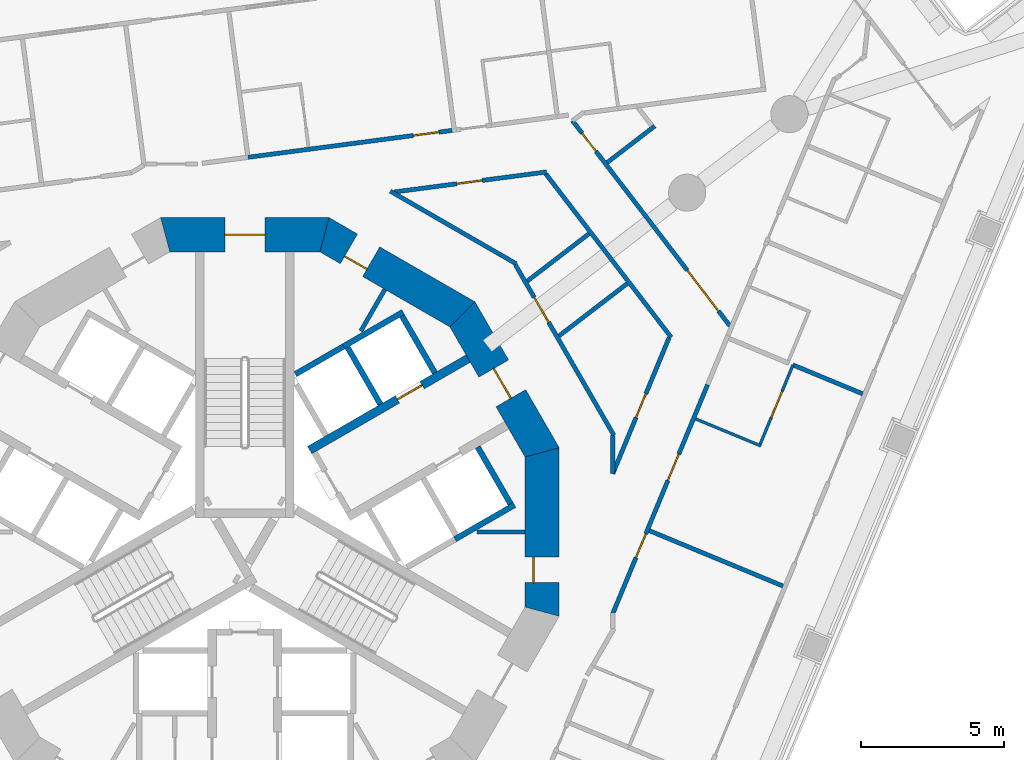
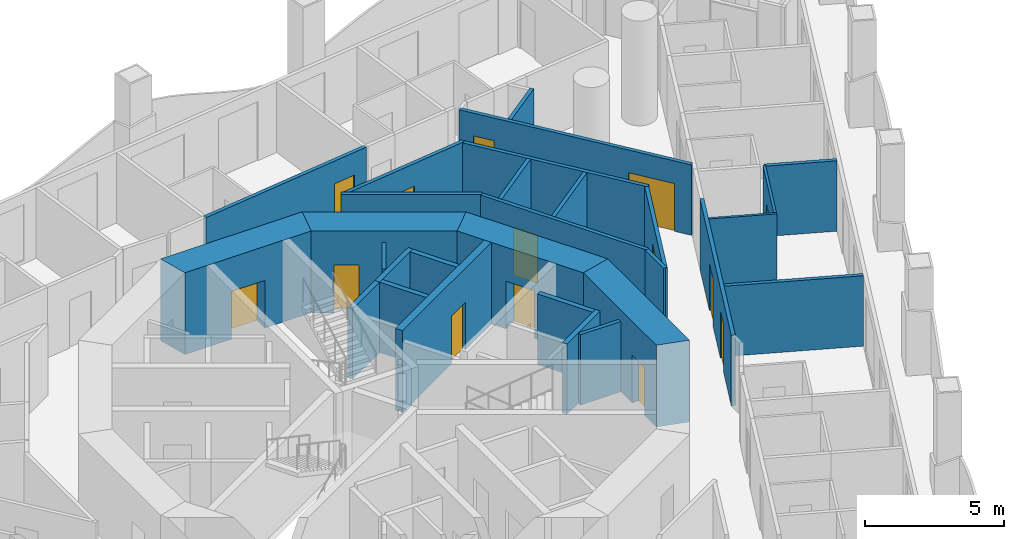
# One storey, part 9 of 19: 29 walls, 14 doors, 14 openings.
"""IFC4 building model written with IfcOpenShell, lengths in metres."""

from ifc_helpers import new_model, si_unit, direction, frame, frame_2d, origin, place, context, subcontext, project, spatial, polyline, rectangle, outline, extrude, material, layer, layer_set, type_object, element, fill, save


model = new_model("IFC4")

# Units and contexts
model_context = context("Model", 3, precision=1e-05, world=origin(), true_north=direction((0.0, 1.0)))
body_context = subcontext(model_context, "Body", "Model", "MODEL_VIEW")
ifc_project = project(units=[si_unit("LENGTHUNIT", "METRE"), si_unit("AREAUNIT", "SQUARE_METRE"), si_unit("VOLUMEUNIT", "CUBIC_METRE"), si_unit("PLANEANGLEUNIT", "RADIAN"), si_unit("MASSUNIT", "GRAM", prefix="KILO")], contexts=[model_context])

# Site, building, storey
site_placement = place(None, origin())
site = spatial("IfcSite", under=ifc_project, at=site_placement, CompositionType="ELEMENT")
building_placement = place(site_placement, origin())
building = spatial("IfcBuilding", under=site, at=building_placement, Name="Trine Commons Tower", CompositionType="ELEMENT")
storey_placement = place(building_placement, frame((0.0, 0.0, 79.199951171875)))
storey = spatial("IfcBuildingStorey", under=building, at=storey_placement, Name="L19", CompositionType="ELEMENT", Elevation=79.199951171875)

# Walls
ifc_material_1 = material(Name="Plasterboard partition on steel studs", Category="steel")
ifc_layer_1 = layer(ifc_material_1, 0.14990234375)
ifc_layer_set_1 = layer_set([ifc_layer_1], Name="Plasterboard partition on steel studs")
wall_type_1 = type_object("IfcWallType", Name="Core room partition 150 mm, EI 60", PredefinedType="PARTITIONING", material=ifc_layer_set_1)
wall_1_placement = place(storey_placement, frame((84.905029296875, 70.9970703125, 0.0), z_axis=(0.0, 0.0, 1.0), x_axis=(-0.500115728942, -0.865958577338, 0.0)))
element("IfcWall", 1, at=wall_1_placement, inside=storey, type_object=wall_type_1, Name="Core room partition L19", PredefinedType="PARTITIONING", context=body_context, shape_type="SweptSolid", body=[
    extrude(rectangle(XDim=1.68359375, YDim=0.14990234375, at=frame_2d((0.841796875, 0.0))), origin(), (0.0, 0.0, 1.0), 3.10009765625),
])
wall_2_placement = place(storey_placement, frame((89.81201171875, 62.5, 0.0), z_axis=(0.0, 0.0, 1.0), x_axis=(-1.0, 0.0, 0.0)))
element("IfcWall", 2, at=wall_2_placement, inside=storey, type_object=wall_type_1, Name="Core room partition L19", PredefinedType="PARTITIONING", context=body_context, shape_type="SweptSolid", body=[
    extrude(rectangle(XDim=1.68310546875, YDim=0.14990234375, at=frame_2d((0.841552734375, 0.0))), origin(), (0.0, 0.0, 1.0), 3.10009765625),
])

# Wall, opening, door
ifc_material_2 = material(Name="Concrete C80/95", Category="concrete")
ifc_layer_2 = layer(ifc_material_2, 1.199951171875)
ifc_layer_set_2 = layer_set([ifc_layer_2], Name="Concrete C80/95")
wall_type_2 = type_object("IfcWallType", Name="RC shear wall 1200 mm, C80/95", PredefinedType="SHEAR", material=ifc_layer_set_2)
wall_3_placement = place(storey_placement, frame((90.41162109375, 59.549560546875, 0.0), z_axis=(0.0, 0.0, 1.0), x_axis=(0.0, 1.0, 0.0)))
wall_3 = element("IfcWall", 3, at=wall_3_placement, inside=storey, type_object=wall_type_2, Name="Core wall CWB-01 L19", PredefinedType="SHEAR", context=body_context, shape_type="SweptSolid", body=[
    extrude(outline(polyline([(0.0, -0.60009765625), (5.90087890625, -0.60009765625), (5.57958984375, 0.60009765625), (0.321533203125, 0.60009765625), (0.0, -0.60009765625)])), origin(), (0.0, 0.0, 1.0), 3.60009765625),
])
opening_1_placement = place(wall_3_placement, frame((1.175537109375, 0.0, 0.0)))
opening_1 = element("IfcOpeningElement", 4, at=opening_1_placement, cuts=wall_3, Name="Opening K06.17", PredefinedType="OPENING", context=body_context, shape_type="SweptSolid", body=[
    extrude(rectangle(XDim=0.89990234375, YDim=2.10009765625, at=frame_2d((0.449951171875, 1.050048828125))), frame((0.0, 0.60986328125, 0.0), z_axis=(0.0, -1.0, 0.0), x_axis=(1.0, 0.0, 0.0)), (0.0, 0.0, 1.0), 1.219970703125),
])
ifc_material_3 = material(Name="Steel door leaf, fire-rated", Category="steel")
door_type_1 = type_object("IfcDoorType", Name="Core room door, single leaf 900 x 2100, FD30S", OperationType="SINGLE_SWING_LEFT", PredefinedType="DOOR", material=ifc_material_3)
door_1_placement = place(opening_1_placement, origin())
door_1 = element("IfcDoor", 5, at=door_1_placement, inside=storey, type_object=door_type_1, Name="Door to Linen store L19", OperationType="SINGLE_SWING_LEFT", OverallHeight=2.10009765625, OverallWidth=0.89990234375, PredefinedType="DOOR", context=body_context, shape_type="SweptSolid", body=[
    extrude(rectangle(XDim=0.89990234375, YDim=2.10009765625, at=frame_2d((0.449951171875, 1.050048828125))), frame((0.0, 0.3251953125, 0.0), z_axis=(0.0, -1.0, 0.0), x_axis=(1.0, 0.0, 0.0)), (0.0, 0.0, 1.0), 0.050048828125),
])
fill(opening_1, door_1)

wall_4_placement = place(storey_placement, frame((90.491943359375, 65.150390625, 0.0), z_axis=(0.0, 0.0, 1.0), x_axis=(-0.499979111662, 0.866037463336, 0.0)))
wall_4 = element("IfcWall", 6, at=wall_4_placement, inside=storey, type_object=wall_type_2, Name="Core wall CWB-02 L19", PredefinedType="SHEAR", context=body_context, shape_type="SweptSolid", body=[
    extrude(outline(polyline([(0.0, -0.60009765625), (5.901123046875, -0.60009765625), (5.57958984375, 0.60009765625), (0.321533203125, 0.60009765625), (0.0, -0.60009765625)])), origin(), (0.0, 0.0, 1.0), 3.60009765625),
])
opening_2_placement = place(wall_4_placement, frame((2.3505859375, 0.0, 0.0)))
opening_2 = element("IfcOpeningElement", 7, at=opening_2_placement, cuts=wall_4, Name="Opening K06.04", PredefinedType="OPENING", context=body_context, shape_type="SweptSolid", body=[
    extrude(rectangle(XDim=1.199951171875, YDim=2.10009765625, at=frame_2d((0.60009765625, 1.050048828125))), frame((0.0, 0.60986328125, 0.0), z_axis=(0.0, -1.0, 0.0), x_axis=(1.0, 0.0, 0.0)), (0.0, 0.0, 1.0), 1.219970703125),
])
ifc_material_4 = material(Name="Steel door leaves, fire-rated", Category="steel")
door_type_2 = type_object("IfcDoorType", Name="Lobby door, double leaf 1200 x 2100, FD60", OperationType="DOUBLE_DOOR_SINGLE_SWING", PredefinedType="DOOR", material=ifc_material_4)
door_2_placement = place(opening_2_placement, origin())
door_2 = element("IfcDoor", 8, at=door_2_placement, inside=storey, type_object=door_type_2, Name="Lobby door, Passenger lift lobby A L19", OperationType="DOUBLE_DOOR_SINGLE_SWING", OverallHeight=2.10009765625, OverallWidth=1.199951171875, PredefinedType="DOOR", context=body_context, shape_type="SweptSolid", body=[
    extrude(rectangle(XDim=1.199951171875, YDim=2.10009765625, at=frame_2d((0.60009765625, 1.050048828125))), frame((0.0, 0.02490234375, 0.0), z_axis=(0.0, -1.0, 0.0), x_axis=(1.0, 0.0, 0.0)), (0.0, 0.0, 1.0), 0.050048828125),
])
fill(opening_2, door_2)

wall_5_placement = place(storey_placement, frame((87.760986328125, 70.04150390625, 0.0), z_axis=(0.0, 0.0, 1.0), x_axis=(-0.866037463336, 0.499979111662, 0.0)))
wall_5 = element("IfcWall", 9, at=wall_5_placement, inside=storey, type_object=wall_type_2, Name="Core wall CWB-03 L19", PredefinedType="SHEAR", context=body_context, shape_type="SweptSolid", body=[
    extrude(outline(polyline([(0.0, -0.60009765625), (5.901123046875, -0.60009765625), (5.57958984375, 0.60009765625), (0.321533203125, 0.60009765625), (0.0, -0.60009765625)])), origin(), (0.0, 0.0, 1.0), 3.60009765625),
])
opening_3_placement = place(wall_5_placement, frame((3.8515625, 0.0, 0.0)))
opening_3 = element("IfcOpeningElement", 10, at=opening_3_placement, cuts=wall_5, Name="Opening K06.12", PredefinedType="OPENING", context=body_context, shape_type="SweptSolid", body=[
    extrude(rectangle(XDim=0.89990234375, YDim=2.10009765625, at=frame_2d((0.449951171875, 1.050048828125))), frame((0.0, 0.60986328125, 0.0), z_axis=(0.0, -1.0, 0.0), x_axis=(1.0, 0.0, 0.0)), (0.0, 0.0, 1.0), 1.219970703125),
])
door_3_placement = place(opening_3_placement, origin())
door_3 = element("IfcDoor", 11, at=door_3_placement, inside=storey, type_object=door_type_1, Name="Door to Cleaner's store L19", OperationType="SINGLE_SWING_RIGHT", OverallHeight=2.10009765625, OverallWidth=0.89990234375, PredefinedType="DOOR", context=body_context, shape_type="SweptSolid", body=[
    extrude(rectangle(XDim=0.89990234375, YDim=2.10009765625, at=frame_2d((0.449951171875, 1.050048828125))), frame((0.0, 0.3251953125, 0.0), z_axis=(0.0, -1.0, 0.0), x_axis=(1.0, 0.0, 0.0)), (0.0, 0.0, 1.0), 0.050048828125),
])
fill(opening_3, door_3)

wall_6_placement = place(storey_placement, frame((82.950439453125, 72.91162109375, 0.0), z_axis=(0.0, 0.0, 1.0), x_axis=(-1.0, 0.0, 0.0)))
wall_6 = element("IfcWall", 12, at=wall_6_placement, inside=storey, type_object=wall_type_2, Name="Core wall CWB-04 L19", PredefinedType="SHEAR", context=body_context, shape_type="SweptSolid", body=[
    extrude(outline(polyline([(0.0, -0.60009765625), (5.90087890625, -0.60009765625), (5.57958984375, 0.60009765625), (0.321533203125, 0.60009765625), (0.0, -0.60009765625)])), origin(), (0.0, 0.0, 1.0), 3.60009765625),
])
opening_4_placement = place(wall_6_placement, frame((2.25048828125, 0.0, 0.0)))
opening_4 = element("IfcOpeningElement", 13, at=opening_4_placement, cuts=wall_6, Name="Opening K06.01", PredefinedType="OPENING", context=body_context, shape_type="SweptSolid", body=[
    extrude(rectangle(XDim=1.39990234375, YDim=2.10009765625, at=frame_2d((0.699951171875, 1.050048828125))), frame((0.0, 0.60986328125, 0.0), z_axis=(0.0, -1.0, 0.0), x_axis=(1.0, 0.0, 0.0)), (0.0, 0.0, 1.0), 1.219970703125),
])
door_type_3 = type_object("IfcDoorType", Name="Stair door, double leaf 1400 x 2100, FD90", OperationType="DOUBLE_DOOR_SINGLE_SWING", PredefinedType="DOOR", material=ifc_material_4)
door_4_placement = place(opening_4_placement, origin())
door_4 = element("IfcDoor", 14, at=door_4_placement, inside=storey, type_object=door_type_3, Name="Stair door to Exit stair ST1A L19", OperationType="DOUBLE_DOOR_SINGLE_SWING", OverallHeight=2.10009765625, OverallWidth=1.39990234375, PredefinedType="DOOR", context=body_context, shape_type="SweptSolid", body=[
    extrude(rectangle(XDim=1.39990234375, YDim=2.10009765625, at=frame_2d((0.699951171875, 1.050048828125))), frame((0.0, 0.02490234375, 0.0), z_axis=(0.0, -1.0, 0.0), x_axis=(1.0, 0.0, 0.0)), (0.0, 0.0, 1.0), 0.050048828125),
])
fill(opening_4, door_4)

ifc_layer_3 = layer(ifc_material_2, 0.300048828125)
ifc_layer_set_3 = layer_set([ifc_layer_3], Name="Concrete C80/95")
wall_type_3 = type_object("IfcWallType", Name="RC shear wall 300 mm, C80/95", PredefinedType="SHEAR", material=ifc_layer_set_3)
wall_7_placement = place(storey_placement, frame((82.26904296875, 65.368896484375, 0.0), z_axis=(0.0, 0.0, 1.0), x_axis=(0.866022631842, 0.500004801114, 0.0)))
wall_7 = element("IfcWall", 15, at=wall_7_placement, inside=storey, type_object=wall_type_3, Name="Core cross wall SWA-05 L19", PredefinedType="SHEAR", context=body_context, shape_type="SweptSolid", body=[
    extrude(rectangle(XDim=6.412109375, YDim=0.300048828125, at=frame_2d((3.2060546875, 0.0))), origin(), (0.0, 0.0, 1.0), 3.60009765625),
])
opening_5_placement = place(wall_7_placement, frame((3.55029296875, 0.0, 0.0)))
opening_5 = element("IfcOpeningElement", 16, at=opening_5_placement, cuts=wall_7, Name="Opening LD1", PredefinedType="OPENING", context=body_context, shape_type="SweptSolid", body=[
    extrude(rectangle(XDim=1.0, YDim=2.10009765625, at=frame_2d((0.5, 1.050048828125))), frame((0.0, 0.159912109375, 0.0), z_axis=(0.0, -1.0, 0.0), x_axis=(1.0, 0.0, 0.0)), (0.0, 0.0, 1.0), 0.320068359375),
])
ifc_material_5 = material(Name="Stainless steel sliding door leaves", Category="steel")
door_type_4 = type_object("IfcDoorType", Name="Lift landing door, centre-opening sliding 1000 x 2100, FD90", OperationType="DOUBLE_DOOR_SLIDING", PredefinedType="DOOR", material=ifc_material_5)
door_5_placement = place(opening_5_placement, origin())
door_5 = element("IfcDoor", 17, at=door_5_placement, inside=storey, type_object=door_type_4, Name="Lift landing door LR1 L19", OperationType="DOUBLE_DOOR_SLIDING", OverallHeight=2.10009765625, OverallWidth=1.0, PredefinedType="DOOR", context=body_context, shape_type="SweptSolid", body=[
    extrude(rectangle(XDim=1.0, YDim=2.10009765625, at=frame_2d((0.5, 1.050048828125))), frame((0.0, 0.02490234375, 0.0), z_axis=(0.0, -1.0, 0.0), x_axis=(1.0, 0.0, 0.0)), (0.0, 0.0, 1.0), 0.050048828125),
])
fill(opening_5, door_5)

# Walls
ifc_material_6 = material(Name="Fire-rated gypsum shaft wall system")
ifc_layer_4 = layer(ifc_material_6, 0.199951171875)
ifc_layer_set_4 = layer_set([ifc_layer_4], Name="Fire-rated gypsum shaft wall system")
wall_type_4 = type_object("IfcWallType", Name="Shaft wall 200 mm, EI 120", PredefinedType="PARTITIONING", material=ifc_layer_set_4)
wall_8_placement = place(storey_placement, frame((81.77490234375, 68.028076171875, 0.0), z_axis=(0.0, 0.0, 1.0), x_axis=(0.866052014814, 0.499953905513, 0.0)))
element("IfcWall", 18, at=wall_8_placement, inside=storey, type_object=wall_type_4, Name="Shaft wall L19", PredefinedType="PARTITIONING", context=body_context, shape_type="SweptSolid", body=[
    extrude(rectangle(XDim=1.947998046875, YDim=0.199951171875, at=frame_2d((0.97412109375, 0.0))), origin(), (0.0, 0.0, 1.0), 3.10009765625),
])
wall_9_placement = place(storey_placement, frame((83.4619140625, 69.001953125, 0.0), z_axis=(0.0, 0.0, 1.0), x_axis=(0.866202511239, 0.499693115345, 0.0)))
element("IfcWall", 19, at=wall_9_placement, inside=storey, type_object=wall_type_4, Name="Shaft wall L19", PredefinedType="PARTITIONING", context=body_context, shape_type="SweptSolid", body=[
    extrude(rectangle(XDim=2.4013671875, YDim=0.199951171875, at=frame_2d((1.20068359375, 0.0))), origin(), (0.0, 0.0, 1.0), 3.10009765625),
])
wall_10_placement = place(storey_placement, frame((84.7490234375, 66.97412109375, 0.0), z_axis=(0.0, 0.0, 1.0), x_axis=(-0.500136062276, 0.86594683394, 0.0)))
element("IfcWall", 20, at=wall_10_placement, inside=storey, type_object=wall_type_4, Name="Shaft wall L19", PredefinedType="PARTITIONING", context=body_context, shape_type="SweptSolid", body=[
    extrude(rectangle(XDim=2.299072265625, YDim=0.199951171875, at=frame_2d((1.1494140625, 0.0))), origin(), (0.0, 0.0, 1.0), 3.10009765625),
])
wall_11_placement = place(storey_placement, frame((86.655029296875, 68.073974609375, 0.0), z_axis=(0.0, 0.0, 1.0), x_axis=(-0.500215680983, 0.865900844496, 0.0)))
element("IfcWall", 21, at=wall_11_placement, inside=storey, type_object=wall_type_4, Name="Shaft wall L19", PredefinedType="PARTITIONING", context=body_context, shape_type="SweptSolid", body=[
    extrude(rectangle(XDim=2.29931640625, YDim=0.199951171875, at=frame_2d((1.149658203125, 0.0))), origin(), (0.0, 0.0, 1.0), 3.10009765625),
])
wall_12_placement = place(storey_placement, frame((87.362060546875, 62.248046875, 0.0), z_axis=(0.0, 0.0, 1.0), x_axis=(0.866177122335, 0.499737123639, 0.0)))
element("IfcWall", 22, at=wall_12_placement, inside=storey, type_object=wall_type_4, Name="Shaft wall L19", PredefinedType="PARTITIONING", context=body_context, shape_type="SweptSolid", body=[
    extrude(rectangle(XDim=2.401123046875, YDim=0.199951171875, at=frame_2d((1.20068359375, 0.0))), origin(), (0.0, 0.0, 1.0), 3.10009765625),
])
wall_13_placement = place(storey_placement, frame((88.155029296875, 65.47607421875, 0.0), z_axis=(0.0, 0.0, 1.0), x_axis=(0.500136062276, -0.86594683394, 0.0)))
element("IfcWall", 23, at=wall_13_placement, inside=storey, type_object=wall_type_4, Name="Shaft wall L19", PredefinedType="PARTITIONING", context=body_context, shape_type="SweptSolid", body=[
    extrude(rectangle(XDim=2.299072265625, YDim=0.199951171875, at=frame_2d((1.1494140625, 0.0))), origin(), (0.0, 0.0, 1.0), 3.10009765625),
])

# Wall, opening, door
ifc_material_7 = material(Name="Gypsum plasterboard on steel stud", Category="steel")
ifc_layer_5 = layer(ifc_material_7, 0.14990234375)
ifc_layer_set_5 = layer_set([ifc_layer_5], Name="Gypsum plasterboard on steel stud")
wall_type_5 = type_object("IfcWallType", Name="Unit and corridor wall 150 mm, EI 60", PredefinedType="PARTITIONING", material=ifc_layer_set_5)
wall_14_placement = place(storey_placement, frame((80.10595703125, 75.623046875, 0.0), z_axis=(0.0, 0.0, 1.0), x_axis=(0.991433895308, 0.130609460741, 0.0)))
wall_14 = element("IfcWall", 24, at=wall_14_placement, inside=storey, type_object=wall_type_5, Name="Partition 080", PredefinedType="PARTITIONING", context=body_context, shape_type="SweptSolid", body=[
    extrude(rectangle(XDim=7.295654296875, YDim=0.14990234375, at=frame_2d((3.64794921875, 0.0))), origin(), (0.0, 0.0, 1.0), 3.10009765625),
])
opening_6_placement = place(wall_14_placement, frame((5.847900390625, 0.0, 0.0)))
opening_6 = element("IfcOpeningElement", 25, at=opening_6_placement, cuts=wall_14, Name="Opening D-2C12", PredefinedType="OPENING", context=body_context, shape_type="SweptSolid", body=[
    extrude(rectangle(XDim=0.89990234375, YDim=2.10009765625, at=frame_2d((0.449951171875, 1.050048828125))), frame((0.0, 0.0849609375, 0.0), z_axis=(0.0, -1.0, 0.0), x_axis=(1.0, 0.0, 0.0)), (0.0, 0.0, 1.0), 0.169921875),
])
ifc_material_8 = material(Name="Timber fire door set", Category="wood")
door_type_5 = type_object("IfcDoorType", Name="Bedroom door 900 x 2100, FD30S", OperationType="NOTDEFINED", PredefinedType="DOOR", material=ifc_material_8)
door_6_placement = place(opening_6_placement, origin())
door_6 = element("IfcDoor", 26, at=door_6_placement, inside=storey, type_object=door_type_5, Name="Door D-2C12", OperationType="SINGLE_SWING_RIGHT", OverallHeight=2.10009765625, OverallWidth=0.89990234375, PredefinedType="DOOR", context=body_context, shape_type="SweptSolid", body=[
    extrude(rectangle(XDim=0.89990234375, YDim=2.10009765625, at=frame_2d((0.449951171875, 1.050048828125))), frame((0.0, 0.02490234375, 0.0), z_axis=(0.0, -1.0, 0.0), x_axis=(1.0, 0.0, 0.0)), (0.0, 0.0, 1.0), 0.050048828125),
])
fill(opening_6, door_6)

# Wall
wall_15_placement = place(storey_placement, frame((85.095947265625, 74.4384765625, 0.0), z_axis=(0.0, 0.0, 1.0), x_axis=(0.866036051865, -0.49998155653, 0.0)))
element("IfcWall", 27, at=wall_15_placement, inside=storey, type_object=wall_type_5, Name="Partition 093", PredefinedType="PARTITIONING", context=body_context, shape_type="SweptSolid", body=[
    extrude(rectangle(XDim=5.084228515625, YDim=0.14990234375, at=frame_2d((2.5419921875, 0.0))), origin(), (0.0, 0.0, 1.0), 3.10009765625),
])

# Wall, opening, door
wall_16_placement = place(storey_placement, frame((85.23828125, 74.40869140625, 0.0), z_axis=(0.0, 0.0, 1.0), x_axis=(0.991440693098, 0.130557849512, 0.0)))
wall_16 = element("IfcWall", 28, at=wall_16_placement, inside=storey, type_object=wall_type_5, Name="Partition 095", PredefinedType="PARTITIONING", context=body_context, shape_type="SweptSolid", body=[
    extrude(rectangle(XDim=5.378173828125, YDim=0.14990234375, at=frame_2d((2.68896484375, 0.0))), origin(), (0.0, 0.0, 1.0), 3.10009765625),
])
opening_7_placement = place(wall_16_placement, frame((2.201416015625, 0.0, 0.0)))
opening_7 = element("IfcOpeningElement", 29, at=opening_7_placement, cuts=wall_16, Name="Opening D-2C35", PredefinedType="OPENING", context=body_context, shape_type="SweptSolid", body=[
    extrude(rectangle(XDim=0.89990234375, YDim=2.10009765625, at=frame_2d((0.449951171875, 1.050048828125))), frame((0.0, 0.0849609375, 0.0), z_axis=(0.0, -1.0, 0.0), x_axis=(1.0, 0.0, 0.0)), (0.0, 0.0, 1.0), 0.169921875),
])
door_type_6 = type_object("IfcDoorType", Name="Service door 900 x 2100, FD30S", OperationType="NOTDEFINED", PredefinedType="DOOR", material=ifc_material_8)
door_7_placement = place(opening_7_placement, frame((0.89990234375, 0.0, 0.0), z_axis=(0.0, 0.0, 1.0), x_axis=(-1.0, 0.0, 0.0)))
door_7 = element("IfcDoor", 30, at=door_7_placement, inside=storey, type_object=door_type_6, Name="Door D-2C35", OperationType="SINGLE_SWING_RIGHT", OverallHeight=2.10009765625, OverallWidth=0.89990234375, PredefinedType="DOOR", context=body_context, shape_type="SweptSolid", body=[
    extrude(rectangle(XDim=0.89990234375, YDim=2.10009765625, at=frame_2d((0.449951171875, 1.050048828125))), frame((0.0, 0.02490234375, 0.0), z_axis=(0.0, -1.0, 0.0), x_axis=(1.0, 0.0, 0.0)), (0.0, 0.0, 1.0), 0.050048828125),
])
fill(opening_7, door_7)

wall_17_placement = place(storey_placement, frame((89.471435546875, 71.868896484375, 0.0), z_axis=(0.0, 0.0, 1.0), x_axis=(0.50000193825, -0.866024284732, 0.0)))
wall_17 = element("IfcWall", 31, at=wall_17_placement, inside=storey, type_object=wall_type_5, Name="Partition 113", PredefinedType="PARTITIONING", context=body_context, shape_type="SweptSolid", body=[
    extrude(rectangle(XDim=6.90625, YDim=0.14990234375, at=frame_2d((3.453125, 0.0))), origin(), (0.0, 0.0, 1.0), 3.10009765625),
])
opening_8_placement = place(wall_17_placement, frame((1.3330078125, 0.0, 0.0)))
opening_8 = element("IfcOpeningElement", 32, at=opening_8_placement, cuts=wall_17, Name="Opening D-2C41", PredefinedType="OPENING", context=body_context, shape_type="SweptSolid", body=[
    extrude(rectangle(XDim=1.0, YDim=2.10009765625, at=frame_2d((0.5, 1.050048828125))), frame((0.0, 0.0849609375, 0.0), z_axis=(0.0, -1.0, 0.0), x_axis=(1.0, 0.0, 0.0)), (0.0, 0.0, 1.0), 0.169921875),
])
ifc_material_9 = material(Name="Painted timber", Category="wood")
door_type_7 = type_object("IfcDoorType", Name="Toilet door 1000 x 2100, NOT RATED", OperationType="NOTDEFINED", PredefinedType="DOOR", material=ifc_material_9)
door_8_placement = place(opening_8_placement, origin())
door_8 = element("IfcDoor", 33, at=door_8_placement, inside=storey, type_object=door_type_7, Name="Door D-2C41", OperationType="SINGLE_SWING_LEFT", OverallHeight=2.10009765625, OverallWidth=1.0, PredefinedType="DOOR", context=body_context, shape_type="SweptSolid", body=[
    extrude(rectangle(XDim=1.0, YDim=2.10009765625, at=frame_2d((0.5, 1.050048828125))), frame((0.0, 0.02490234375, 0.0), z_axis=(0.0, -1.0, 0.0), x_axis=(1.0, 0.0, 0.0)), (0.0, 0.0, 1.0), 0.050048828125),
])
fill(opening_8, door_8)

# Walls
wall_18_placement = place(storey_placement, frame((89.892578125, 71.28759765625, 0.0), z_axis=(0.0, 0.0, 1.0), x_axis=(0.793249929781, 0.608896172515, 0.0)))
element("IfcWall", 34, at=wall_18_placement, inside=storey, type_object=wall_type_5, Name="Partition 114", PredefinedType="PARTITIONING", context=body_context, shape_type="SweptSolid", body=[
    extrude(rectangle(XDim=2.72412109375, YDim=0.14990234375, at=frame_2d((1.362060546875, 0.0))), origin(), (0.0, 0.0, 1.0), 3.10009765625),
])
wall_19_placement = place(storey_placement, frame((90.541748046875, 75.04150390625, 0.0), z_axis=(0.0, 0.0, 1.0), x_axis=(0.608724186816, -0.793381915842, 0.0)))
element("IfcWall", 35, at=wall_19_placement, inside=storey, type_object=wall_type_5, Name="Partition 118", PredefinedType="PARTITIONING", context=body_context, shape_type="SweptSolid", body=[
    extrude(rectangle(XDim=7.21484375, YDim=0.14990234375, at=frame_2d((3.607421875, 0.0))), origin(), (0.0, 0.0, 1.0), 3.10009765625),
])
wall_20_placement = place(storey_placement, frame((91.00146484375, 69.36669921875, 0.0), z_axis=(0.0, 0.0, 1.0), x_axis=(0.79348121318, 0.608594745565, 0.0)))
element("IfcWall", 36, at=wall_20_placement, inside=storey, type_object=wall_type_5, Name="Partition 124", PredefinedType="PARTITIONING", context=body_context, shape_type="SweptSolid", body=[
    extrude(rectangle(XDim=3.0146484375, YDim=0.14990234375, at=frame_2d((1.50732421875, 0.0))), origin(), (0.0, 0.0, 1.0), 3.10009765625),
])

# Wall, openings, doors
wall_21_placement = place(storey_placement, frame((91.47412109375, 76.906005859375, 0.0), z_axis=(0.0, 0.0, 1.0), x_axis=(0.608691769464, -0.793406787081, 0.0)))
wall_21 = element("IfcWall", 37, at=wall_21_placement, inside=storey, type_object=wall_type_5, Name="Partition 128", PredefinedType="PARTITIONING", context=body_context, shape_type="SweptSolid", body=[
    extrude(rectangle(XDim=9.05908203125, YDim=0.14990234375, at=frame_2d((4.529541015625, 0.0))), origin(), (0.0, 0.0, 1.0), 3.10009765625),
])
opening_9_placement = place(wall_21_placement, frame((6.606201171875, 0.0, 0.0)))
opening_9 = element("IfcOpeningElement", 38, at=opening_9_placement, cuts=wall_21, Name="Opening D-2C01", PredefinedType="OPENING", context=body_context, shape_type="SweptSolid", body=[
    extrude(rectangle(XDim=1.800048828125, YDim=2.10009765625, at=frame_2d((0.89990234375, 1.050048828125))), frame((0.0, 0.0849609375, 0.0), z_axis=(0.0, -1.0, 0.0), x_axis=(1.0, 0.0, 0.0)), (0.0, 0.0, 1.0), 0.169921875),
])
opening_10_placement = place(wall_21_placement, frame((0.553955078125, 0.0, 0.0)))
opening_10 = element("IfcOpeningElement", 39, at=opening_10_placement, cuts=wall_21, Name="Opening D-2C04", PredefinedType="OPENING", context=body_context, shape_type="SweptSolid", body=[
    extrude(rectangle(XDim=0.800048828125, YDim=2.10009765625, at=frame_2d((0.39990234375, 1.050048828125))), frame((0.0, 0.0849609375, 0.0), z_axis=(0.0, -1.0, 0.0), x_axis=(1.0, 0.0, 0.0)), (0.0, 0.0, 1.0), 0.169921875),
])
door_type_8 = type_object("IfcDoorType", Name="Cluster entrance door 1800 x 2100, double leaf, FD30S", OperationType="DOUBLE_DOOR_DOUBLE_SWING", PredefinedType="DOOR", material=ifc_material_8)
door_9_placement = place(opening_9_placement, origin())
door_9 = element("IfcDoor", 40, at=door_9_placement, inside=storey, type_object=door_type_8, Name="Door D-2C01", OperationType="DOUBLE_DOOR_DOUBLE_SWING", OverallHeight=2.10009765625, OverallWidth=1.800048828125, PredefinedType="DOOR", context=body_context, shape_type="SweptSolid", body=[
    extrude(rectangle(XDim=1.800048828125, YDim=2.10009765625, at=frame_2d((0.89990234375, 1.050048828125))), frame((0.0, 0.02490234375, 0.0), z_axis=(0.0, -1.0, 0.0), x_axis=(1.0, 0.0, 0.0)), (0.0, 0.0, 1.0), 0.050048828125),
])
fill(opening_9, door_9)
door_type_9 = type_object("IfcDoorType", Name="Toilet door 800 x 2100, NOT RATED", OperationType="NOTDEFINED", PredefinedType="DOOR", material=ifc_material_9)
door_10_placement = place(opening_10_placement, origin())
door_10 = element("IfcDoor", 41, at=door_10_placement, inside=storey, type_object=door_type_9, Name="Door D-2C04", OperationType="SINGLE_SWING_LEFT", OverallHeight=2.10009765625, OverallWidth=0.800048828125, PredefinedType="DOOR", context=body_context, shape_type="SweptSolid", body=[
    extrude(rectangle(XDim=0.800048828125, YDim=2.10009765625, at=frame_2d((0.39990234375, 1.050048828125))), frame((0.0, 0.02490234375, 0.0), z_axis=(0.0, -1.0, 0.0), x_axis=(1.0, 0.0, 0.0)), (0.0, 0.0, 1.0), 0.050048828125),
])
fill(opening_10, door_10)

# Wall
wall_22_placement = place(storey_placement, frame((92.6923828125, 75.440673828125, 0.0), z_axis=(0.0, 0.0, 1.0), x_axis=(0.793198338244, 0.608963378379, 0.0)))
element("IfcWall", 42, at=wall_22_placement, inside=storey, type_object=wall_type_5, Name="Partition 136", PredefinedType="PARTITIONING", context=body_context, shape_type="SweptSolid", body=[
    extrude(rectangle(XDim=2.100341796875, YDim=0.14990234375, at=frame_2d((1.05029296875, 0.0))), origin(), (0.0, 0.0, 1.0), 3.10009765625),
])

# Wall, openings, doors
wall_23_placement = place(storey_placement, frame((92.886962890625, 59.64599609375, 0.0), z_axis=(0.0, 0.0, 1.0), x_axis=(0.382685755008, 0.923878570438, 0.0)))
wall_23 = element("IfcWall", 43, at=wall_23_placement, inside=storey, type_object=wall_type_5, Name="Partition 139", PredefinedType="PARTITIONING", context=body_context, shape_type="SweptSolid", body=[
    extrude(rectangle(XDim=8.673095703125, YDim=0.14990234375, at=frame_2d((4.33642578125, 0.0))), origin(), (0.0, 0.0, 1.0), 3.10009765625),
])
opening_11_placement = place(wall_23_placement, frame((5.0400390625, 0.0, 0.0)))
opening_11 = element("IfcOpeningElement", 44, at=opening_11_placement, cuts=wall_23, Name="Opening D-2C18", PredefinedType="OPENING", context=body_context, shape_type="SweptSolid", body=[
    extrude(rectangle(XDim=1.0, YDim=2.10009765625, at=frame_2d((0.5, 1.050048828125))), frame((0.0, 0.0849609375, 0.0), z_axis=(0.0, -1.0, 0.0), x_axis=(1.0, 0.0, 0.0)), (0.0, 0.0, 1.0), 0.169921875),
])
opening_12_placement = place(wall_23_placement, frame((2.120361328125, 0.0, 0.0)))
opening_12 = element("IfcOpeningElement", 45, at=opening_12_placement, cuts=wall_23, Name="Opening D-2C19", PredefinedType="OPENING", context=body_context, shape_type="SweptSolid", body=[
    extrude(rectangle(XDim=0.89990234375, YDim=2.10009765625, at=frame_2d((0.449951171875, 1.050048828125))), frame((0.0, 0.0849609375, 0.0), z_axis=(0.0, -1.0, 0.0), x_axis=(1.0, 0.0, 0.0)), (0.0, 0.0, 1.0), 0.169921875),
])
door_type_10 = type_object("IfcDoorType", Name="Bedroom door 1000 x 2100, FD30S", OperationType="NOTDEFINED", PredefinedType="DOOR", material=ifc_material_8)
door_11_placement = place(opening_11_placement, frame((1.0, 0.0, 0.0), z_axis=(0.0, 0.0, 1.0), x_axis=(-1.0, 0.0, 0.0)))
door_11 = element("IfcDoor", 46, at=door_11_placement, inside=storey, type_object=door_type_10, Name="Door D-2C18", OperationType="SINGLE_SWING_LEFT", OverallHeight=2.10009765625, OverallWidth=1.0, PredefinedType="DOOR", context=body_context, shape_type="SweptSolid", body=[
    extrude(rectangle(XDim=1.0, YDim=2.10009765625, at=frame_2d((0.5, 1.050048828125))), frame((0.0, 0.02490234375, 0.0), z_axis=(0.0, -1.0, 0.0), x_axis=(1.0, 0.0, 0.0)), (0.0, 0.0, 1.0), 0.050048828125),
])
fill(opening_11, door_11)
door_12_placement = place(opening_12_placement, frame((0.89990234375, 0.0, 0.0), z_axis=(0.0, 0.0, 1.0), x_axis=(-1.0, 0.0, 0.0)))
door_12 = element("IfcDoor", 47, at=door_12_placement, inside=storey, type_object=door_type_5, Name="Door D-2C19", OperationType="SINGLE_SWING_RIGHT", OverallHeight=2.10009765625, OverallWidth=0.89990234375, PredefinedType="DOOR", context=body_context, shape_type="SweptSolid", body=[
    extrude(rectangle(XDim=0.89990234375, YDim=2.10009765625, at=frame_2d((0.449951171875, 1.050048828125))), frame((0.0, 0.02490234375, 0.0), z_axis=(0.0, -1.0, 0.0), x_axis=(1.0, 0.0, 0.0)), (0.0, 0.0, 1.0), 0.050048828125),
])
fill(opening_12, door_12)

# Wall
wall_24_placement = place(storey_placement, frame((92.886962890625, 64.5419921875, 0.0), z_axis=(0.0, 0.0, 1.0), x_axis=(0.0, 1.0, 0.0)))
element("IfcWall", 48, at=wall_24_placement, inside=storey, type_object=wall_type_5, Name="Partition 140", PredefinedType="PARTITIONING", context=body_context, shape_type="SweptSolid", body=[
    extrude(rectangle(XDim=1.3359375, YDim=0.14990234375, at=frame_2d((0.66796875, 0.0))), origin(), (0.0, 0.0, 1.0), 3.10009765625),
])

# Wall, opening, door
wall_25_placement = place(storey_placement, frame((92.886962890625, 64.5458984375, 0.0), z_axis=(0.0, 0.0, 1.0), x_axis=(0.382690656651, 0.923876540081, 0.0)))
wall_25 = element("IfcWall", 49, at=wall_25_placement, inside=storey, type_object=wall_type_5, Name="Partition 141", PredefinedType="PARTITIONING", context=body_context, shape_type="SweptSolid", body=[
    extrude(rectangle(XDim=5.154052734375, YDim=0.14990234375, at=frame_2d((2.5771484375, 0.0))), origin(), (0.0, 0.0, 1.0), 3.10009765625),
])
opening_13_placement = place(wall_25_placement, frame((2.126953125, 0.0, 0.0)))
opening_13 = element("IfcOpeningElement", 50, at=opening_13_placement, cuts=wall_25, Name="Opening D-2C36", PredefinedType="OPENING", context=body_context, shape_type="SweptSolid", body=[
    extrude(rectangle(XDim=0.89990234375, YDim=2.10009765625, at=frame_2d((0.449951171875, 1.050048828125))), frame((0.0, 0.0849609375, 0.0), z_axis=(0.0, -1.0, 0.0), x_axis=(1.0, 0.0, 0.0)), (0.0, 0.0, 1.0), 0.169921875),
])
door_13_placement = place(opening_13_placement, origin())
door_13 = element("IfcDoor", 51, at=door_13_placement, inside=storey, type_object=door_type_6, Name="Door D-2C36", OperationType="SINGLE_SWING_RIGHT", OverallHeight=2.10009765625, OverallWidth=0.89990234375, PredefinedType="DOOR", context=body_context, shape_type="SweptSolid", body=[
    extrude(rectangle(XDim=0.89990234375, YDim=2.10009765625, at=frame_2d((0.449951171875, 1.050048828125))), frame((0.0, 0.02490234375, 0.0), z_axis=(0.0, -1.0, 0.0), x_axis=(1.0, 0.0, 0.0)), (0.0, 0.0, 1.0), 0.050048828125),
])
fill(opening_13, door_13)

# Walls
wall_26_placement = place(storey_placement, frame((94.169189453125, 62.54638671875, 0.0), z_axis=(0.0, 0.0, 1.0), x_axis=(0.923879340067, -0.382683896966, 0.0)))
element("IfcWall", 52, at=wall_26_placement, inside=storey, type_object=wall_type_5, Name="Partition 147", PredefinedType="PARTITIONING", context=body_context, shape_type="SweptSolid", body=[
    extrude(rectangle(XDim=5.064208984375, YDim=0.14990234375, at=frame_2d((2.5322265625, 0.0))), origin(), (0.0, 0.0, 1.0), 3.10009765625),
])
wall_27_placement = place(storey_placement, frame((99.194091796875, 68.35205078125, 0.0), z_axis=(0.0, 0.0, 1.0), x_axis=(0.923976311706, -0.382449703106, 0.0)))
element("IfcWall", 53, at=wall_27_placement, inside=storey, type_object=wall_type_5, Name="Partition 161", PredefinedType="PARTITIONING", context=body_context, shape_type="SweptSolid", body=[
    extrude(rectangle(XDim=2.642822265625, YDim=0.14990234375, at=frame_2d((1.3212890625, 0.0))), origin(), (0.0, 0.0, 1.0), 3.10009765625),
])
ifc_layer_6 = layer(ifc_material_7, 0.10009765625)
ifc_layer_set_6 = layer_set([ifc_layer_6], Name="Gypsum plasterboard on steel stud")
wall_type_6 = type_object("IfcWallType", Name="Unit partition 100 mm, no rating", PredefinedType="PARTITIONING", material=ifc_layer_set_6)
wall_28_placement = place(storey_placement, frame((95.790283203125, 66.461181640625, 0.0), z_axis=(0.0, 0.0, 1.0), x_axis=(0.923877385773, -0.38268861501, 0.0)))
element("IfcWall", 54, at=wall_28_placement, inside=storey, type_object=wall_type_6, Name="Partition 149", PredefinedType="PARTITIONING", context=body_context, shape_type="SweptSolid", body=[
    extrude(rectangle(XDim=2.475341796875, YDim=0.10009765625, at=frame_2d((1.23779296875, 0.0))), origin(), (0.0, 0.0, 1.0), 3.10009765625),
])

# Wall, opening, door
wall_29_placement = place(storey_placement, frame((98.050048828125, 65.5791015625, 0.0), z_axis=(0.0, 0.0, 1.0), x_axis=(0.382615309669, 0.923907746913, 0.0)))
wall_29 = element("IfcWall", 55, at=wall_29_placement, inside=storey, type_object=wall_type_6, Name="Partition 156", PredefinedType="PARTITIONING", context=body_context, shape_type="SweptSolid", body=[
    extrude(rectangle(XDim=3.000244140625, YDim=0.10009765625, at=frame_2d((1.5, 0.0))), origin(), (0.0, 0.0, 1.0), 3.10009765625),
])
opening_14_placement = place(wall_29_placement, frame((1.0, 0.0, 0.0)))
opening_14 = element("IfcOpeningElement", 56, at=opening_14_placement, cuts=wall_29, Name="Opening D-2C51", PredefinedType="OPENING", context=body_context, shape_type="SweptSolid", body=[
    extrude(rectangle(XDim=1.0, YDim=2.10009765625, at=frame_2d((0.5, 1.050048828125))), frame((0.0, 0.06005859375, 0.0), z_axis=(0.0, -1.0, 0.0), x_axis=(1.0, 0.0, 0.0)), (0.0, 0.0, 1.0), 0.1201171875),
])
door_type_11 = type_object("IfcDoorType", Name="Internal door 1000 x 2100, NOT RATED", OperationType="NOTDEFINED", PredefinedType="DOOR", material=ifc_material_9)
door_14_placement = place(opening_14_placement, frame((1.0, 0.0, 0.0), z_axis=(0.0, 0.0, 1.0), x_axis=(-1.0, 0.0, 0.0)))
door_14 = element("IfcDoor", 57, at=door_14_placement, inside=storey, type_object=door_type_11, Name="Door D-2C51", OperationType="SINGLE_SWING_LEFT", OverallHeight=2.10009765625, OverallWidth=1.0, PredefinedType="DOOR", context=body_context, shape_type="SweptSolid", body=[
    extrude(rectangle(XDim=1.0, YDim=2.10009765625, at=frame_2d((0.5, 1.050048828125))), frame((0.0, 0.02490234375, 0.0), z_axis=(0.0, -1.0, 0.0), x_axis=(1.0, 0.0, 0.0)), (0.0, 0.0, 1.0), 0.050048828125),
])
fill(opening_14, door_14)

save(model, "model.ifc")
